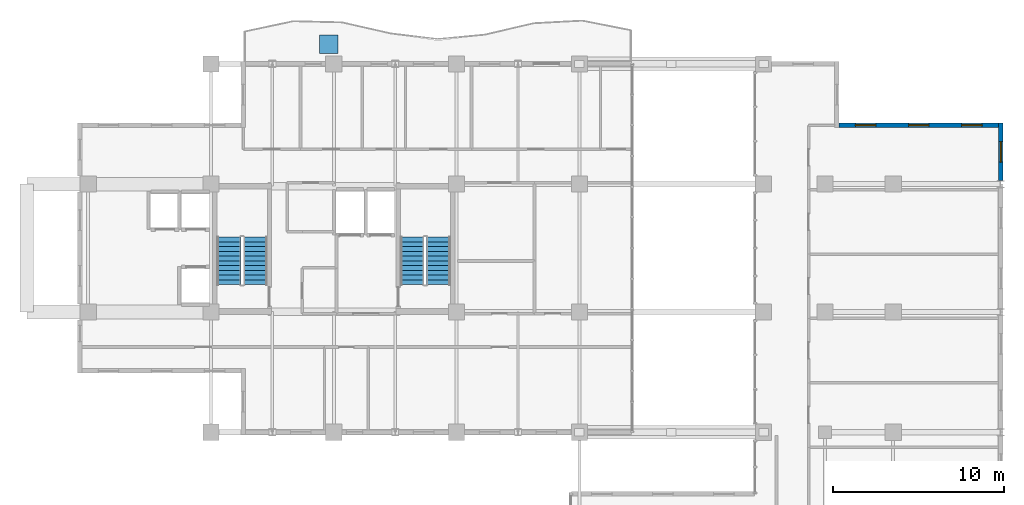
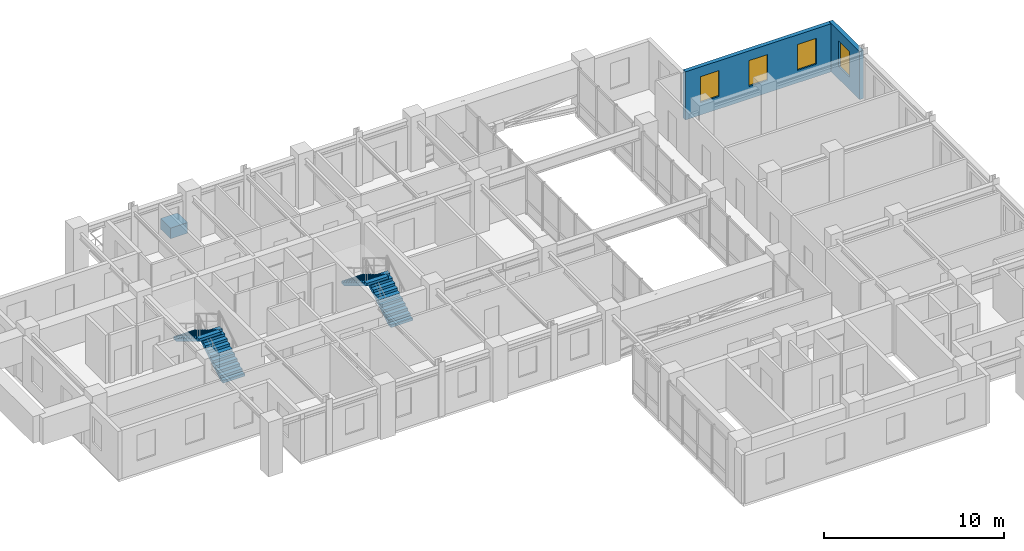
# One storey, part 21 of 23: 4 stair flights, 4 windows, 2 walls, 1 discrete accessory, 4 openings, 2 elements without a shape of their own.
"""IFC4 building model written with IfcOpenShell, lengths in metres."""

import ifcopenshell
import ifcopenshell.guid

model = None  # the IFC model being written
_history = None  # IfcOwnerHistory: only IFC2X3 demands one
_inside = {}  # id of a spatial element -> (the spatial element, [elements in it])
_under = {}  # id of a project, library or spatial element -> (it, [spatial elements below it])
_declared = {}  # id of a project -> (the project, [libraries it declares])
_typed = {}  # id of a type object -> (the type object, [elements of that type])
_made_of = {}  # id of a material, layer set ... -> (it, [elements and type objects made of it])


def new_model(schema):
    """Start an empty IFC model of exactly this schema.

    Asked for "IFC4X3", IfcOpenShell would pick the latest addendum, in which some entities
    have other attributes; the version numbers below select the first issue.
    IFC2X3 requires an IfcOwnerHistory on every rooted entity: one is made here for all.
    """
    global model, _history
    if schema == "IFC4X3":
        model = ifcopenshell.file(schema_version=(4, 3, 0, 0))
    else:
        model = ifcopenshell.file(schema=schema)
    _inside.clear()
    _under.clear()
    _declared.clear()
    _typed.clear()
    _made_of.clear()
    _history = None
    if model.schema == "IFC2X3":
        org = make("IfcOrganization", Name="unknown")
        user = make(
            "IfcPersonAndOrganization",
            ThePerson=make("IfcPerson", FamilyName="unknown"),
            TheOrganization=org,
        )
        app = make(
            "IfcApplication",
            ApplicationDeveloper=org,
            Version="unknown",
            ApplicationFullName="unknown",
            ApplicationIdentifier="unknown",
        )
        _history = make(
            "IfcOwnerHistory",
            OwningUser=user,
            OwningApplication=app,
            ChangeAction="ADDED",
            CreationDate=0,
        )
    return model


def make(cls, **values):
    """One entity of the class cls with the attributes given. An attribute that is None is left unset."""
    return model.create_entity(
        cls, **{name: value for name, value in values.items() if value is not None}
    )


def rooted(cls, **values):
    """An entity with a GlobalId (a new one), such as an element, a storey or a relation."""
    return make(cls, GlobalId=ifcopenshell.guid.new(), OwnerHistory=_history, **values)


def si_unit(unit_type, name, prefix=None):
    """IfcSIUnit, for example si_unit("LENGTHUNIT", "METRE", prefix="MILLI")."""
    return make("IfcSIUnit", UnitType=unit_type, Prefix=prefix, Name=name)


def assignment(units):
    """IfcUnitAssignment: the units of a project."""
    return None if units is None else make("IfcUnitAssignment", Units=units)


def point(xyz):
    """IfcCartesianPoint."""
    return None if xyz is None else make("IfcCartesianPoint", Coordinates=xyz)


def direction(xyz):
    """IfcDirection."""
    return None if xyz is None else make("IfcDirection", DirectionRatios=xyz)


def frame(location, z_axis=None, x_axis=None):
    """IfcAxis2Placement3D, a coordinate frame: its origin and axes. An axis left out is left unset."""
    return make(
        "IfcAxis2Placement3D",
        Location=point(location),
        Axis=direction(z_axis),
        RefDirection=direction(x_axis),
    )


def frame_2d(location, x_axis=None):
    """IfcAxis2Placement2D, a coordinate frame in the plane: its origin and x axis."""
    return make(
        "IfcAxis2Placement2D", Location=point(location), RefDirection=direction(x_axis)
    )


def origin():
    """The frame at (0, 0, 0) with its axes left unset."""
    return frame((0.0, 0.0, 0.0))


def origin_2d():
    """The frame at (0, 0) in the plane with its x axis left unset."""
    return frame_2d((0.0, 0.0))


def place(relative_to, where):
    """IfcLocalPlacement: puts the frame where relative to a parent placement (None: the world)."""
    return make(
        "IfcLocalPlacement", PlacementRelTo=relative_to, RelativePlacement=where
    )


def context(
    kind, dimensions, precision=None, world=None, true_north=None, identifier=None
):
    """IfcGeometricRepresentationContext, for example the 3D "Model" context."""
    return make(
        "IfcGeometricRepresentationContext",
        ContextIdentifier=identifier,
        ContextType=kind,
        CoordinateSpaceDimension=dimensions,
        Precision=precision,
        WorldCoordinateSystem=world,
        TrueNorth=true_north,
    )


def subcontext(parent, identifier, kind, view, scale=None):
    """IfcGeometricRepresentationSubContext, for example "Body" below "Model"."""
    return make(
        "IfcGeometricRepresentationSubContext",
        ContextIdentifier=identifier,
        ContextType=kind,
        ParentContext=parent,
        TargetScale=scale,
        TargetView=view,
    )


def project(units=None, contexts=None):
    """IfcProject with its units and contexts."""
    return rooted(
        "IfcProject",
        Name="project",
        RepresentationContexts=contexts,
        UnitsInContext=assignment(units),
    )


def spatial(cls, under=None, at=None, **own):
    """A site, building, storey or space (cls), placed at a placement, below another one or the project."""
    s = rooted(cls, ObjectPlacement=at, **own)
    if under is not None:
        _under.setdefault(under.id(), (under, []))[1].append(s)
    return s


def polyline(points):
    """IfcPolyline through the points."""
    return make("IfcPolyline", Points=[point(p) for p in points])


def profile(cls, at=None, kind="AREA", **sizes):
    """A parametric profile (cls). Its sizes go by their IFC names, for example OverallWidth=200.0."""
    return make(cls, ProfileType=kind, Position=at, **sizes)


def rectangle(**sizes):
    """IfcRectangleProfileDef."""
    return profile("IfcRectangleProfileDef", **sizes)


def outline(outer, holes=None, kind="AREA"):
    """IfcArbitraryClosedProfileDef: a profile drawn as a closed curve; with holes, ...WithVoids."""
    if holes is None:
        return make("IfcArbitraryClosedProfileDef", ProfileType=kind, OuterCurve=outer)
    return make(
        "IfcArbitraryProfileDefWithVoids",
        ProfileType=kind,
        OuterCurve=outer,
        InnerCurves=holes,
    )


def extrude(swept, where, along, depth):
    """IfcExtrudedAreaSolid: the profile swept, set in the frame where, extruded along a direction by depth."""
    return make(
        "IfcExtrudedAreaSolid",
        SweptArea=swept,
        Position=where,
        ExtrudedDirection=direction(along),
        Depth=depth,
    )


def shape(context_of_items, identifier, shape_type, items):
    """IfcShapeRepresentation: the items that make up one representation, for example the "Body"."""
    return make(
        "IfcShapeRepresentation",
        ContextOfItems=context_of_items,
        RepresentationIdentifier=identifier,
        RepresentationType=shape_type,
        Items=items,
    )


def source(mapping_origin, context_of_items, identifier, shape_type, items):
    """IfcRepresentationMap: a shape defined once, which mapped items show again and again."""
    return make(
        "IfcRepresentationMap",
        MappingOrigin=mapping_origin,
        MappedRepresentation=shape(context_of_items, identifier, shape_type, items),
    )


def transform(
    local_origin,
    x_axis=None,
    y_axis=None,
    z_axis=None,
    scale=None,
    scale2=None,
    scale3=None,
    uniform=True,
):
    """IfcCartesianTransformationOperator3D, or its non-uniform kind. x_axis, y_axis, z_axis: its Axis1, 2, 3."""
    if uniform:
        return make(
            "IfcCartesianTransformationOperator3D",
            Axis1=direction(x_axis),
            Axis2=direction(y_axis),
            LocalOrigin=point(local_origin),
            Scale=scale,
            Axis3=direction(z_axis),
        )
    return make(
        "IfcCartesianTransformationOperator3DnonUniform",
        Axis1=direction(x_axis),
        Axis2=direction(y_axis),
        LocalOrigin=point(local_origin),
        Scale=scale,
        Axis3=direction(z_axis),
        Scale2=scale2,
        Scale3=scale3,
    )


def mapped(mapping_source, mapping_target):
    """IfcMappedItem: shows the shape of a source again, moved by a transform."""
    return make(
        "IfcMappedItem", MappingSource=mapping_source, MappingTarget=mapping_target
    )


def material(Name=None, Category=None):
    """IfcMaterial."""
    return make("IfcMaterial", Name=Name, Category=Category)


def layer(
    of_material, thickness, ventilated=None, Name=None, Category=None, Priority=None
):
    """IfcMaterialLayer: one layer of a wall or slab, of a material (None: an air gap)."""
    return make(
        "IfcMaterialLayer",
        Material=of_material,
        LayerThickness=thickness,
        IsVentilated=ventilated,
        Name=Name,
        Category=Category,
        Priority=Priority,
    )


def layer_set(layers, Name=None):
    """IfcMaterialLayerSet."""
    return make("IfcMaterialLayerSet", MaterialLayers=layers, LayerSetName=Name)


def made_of(thing, what):
    """Note that an element or type object is made of a material, layer set ...; save() writes the relation."""
    if what is not None:
        _made_of.setdefault(what.id(), (what, []))[1].append(thing)
    return thing


def type_object(cls, material=None, **own):
    """A type object (cls), such as IfcWallType, which elements share."""
    return made_of(rooted(cls, **own), material)


def element(
    cls,
    number,
    at=None,
    inside=None,
    cuts=None,
    type_object=None,
    material=None,
    context=None,
    identifier="Body",
    shape_type=None,
    held_by="IfcProductDefinitionShape",
    body=None,
    shapes=None,
    **own,
):
    """One element of the class cls, such as IfcWall. Its Tag is "e" and its number.

    at: its placement. inside: the storey or other place that contains it. cuts: it is an
    opening in that element (IfcRelVoidsElement). A single representation is given by context,
    identifier, shape_type and body (its items); several are given by shapes. held_by: the class
    of the entity that holds the representations. save() writes the other relations.
    """
    e = rooted(cls, Tag="e%d" % number, ObjectPlacement=at, **own)
    if body is not None:
        shapes = [shape(context, identifier, shape_type, body)]
    if shapes is not None:
        e.Representation = make(held_by, Representations=shapes)
    if inside is not None:
        _inside.setdefault(inside.id(), (inside, []))[1].append(e)
    if cuts is not None:
        rooted(
            "IfcRelVoidsElement", RelatingBuildingElement=cuts, RelatedOpeningElement=e
        )
    if type_object is not None:
        _typed.setdefault(type_object.id(), (type_object, []))[1].append(e)
    return made_of(e, material)


def fill(opening, filler):
    """IfcRelFillsElement: the door or window that sits in an opening."""
    return rooted(
        "IfcRelFillsElement",
        RelatingOpeningElement=opening,
        RelatedBuildingElement=filler,
    )


def aggregate(whole, parts):
    """IfcRelAggregates: a whole, such as a stair, and the parts it consists of."""
    return rooted("IfcRelAggregates", RelatingObject=whole, RelatedObjects=parts)


def save(model, path):
    """Write the relations noted so far, then the file.

    IfcRelAggregates (storeys below a building ...), IfcRelContainedInSpatialStructure (elements
    in a storey), IfcRelDefinesByType, IfcRelAssociatesMaterial and IfcRelDeclares: one each for
    every whole, place, type object, material and project.
    """
    for whole, parts in _under.values():
        aggregate(whole, parts)
    for where, things in _inside.values():
        rooted(
            "IfcRelContainedInSpatialStructure",
            RelatedElements=things,
            RelatingStructure=where,
        )
    for kind, things in _typed.values():
        rooted("IfcRelDefinesByType", RelatedObjects=things, RelatingType=kind)
    for what, things in _made_of.values():
        rooted("IfcRelAssociatesMaterial", RelatedObjects=things, RelatingMaterial=what)
    for by, libraries in _declared.values():
        rooted("IfcRelDeclares", RelatingContext=by, RelatedDefinitions=libraries)
    model.write(path)


model = new_model("IFC4")

# Units and contexts
model_context = context("Model", 3, precision=1e-05, world=origin(), true_north=direction((0.0, 1.0)))
body_context = subcontext(model_context, "Body", "Model", "MODEL_VIEW")
ifc_project = project(units=[si_unit("LENGTHUNIT", "METRE"), si_unit("AREAUNIT", "SQUARE_METRE"), si_unit("VOLUMEUNIT", "CUBIC_METRE"), si_unit("PLANEANGLEUNIT", "RADIAN"), si_unit("MASSUNIT", "GRAM", prefix="KILO")], contexts=[model_context])

# Site, building, storey
site_placement = place(None, origin())
site = spatial("IfcSite", under=ifc_project, at=site_placement, CompositionType="ELEMENT")
building_placement = place(site_placement, origin())
building = spatial("IfcBuilding", under=site, at=building_placement, Name="Kaliganga Portal Commons", CompositionType="ELEMENT")
storey_placement = place(building_placement, frame((0.0, 0.0, 246.199951171875)))
storey = spatial("IfcBuildingStorey", under=building, at=storey_placement, Name="L63", CompositionType="ELEMENT", Elevation=246.199951171875)

# Wall, opening, window
ifc_material_1 = material(Name="Insulated Aluminium-Clad Spandrel Assembly", Category="aluminium")
ifc_layer = layer(ifc_material_1, 0.260009765625)
ifc_layer_set = layer_set([ifc_layer], Name="Insulated Aluminium-Clad Spandrel Assembly")
wall_type = type_object("IfcWallType", Name="WL-EXT-SPAND-260", PredefinedType="STANDARD", material=ifc_layer_set)
wall_1_placement = place(storey_placement, frame((60.699951171875, 39.72998046875, 0.0), z_axis=(0.0, 0.0, 1.0), x_axis=(0.0, -1.0, 0.0)))
wall_1 = element("IfcWall", 1, at=wall_1_placement, inside=storey, type_object=wall_type, Name="Exterior Envelope Wall L63 P2-E03-S5", PredefinedType="STANDARD", context=body_context, shape_type="SweptSolid", body=[
    extrude(rectangle(XDim=3.37890625, YDim=0.260009765625, at=frame_2d((1.689453125, 0.0))), origin(), (0.0, 0.0, 1.0), 3.260009765625),
])
opening_1_placement = place(wall_1_placement, frame((1.089599609375, 0.0, 0.85009765625)))
opening_1 = element("IfcOpeningElement", 2, at=opening_1_placement, cuts=wall_1, Name="Opening W-03", PredefinedType="OPENING", context=body_context, shape_type="SweptSolid", body=[
    extrude(rectangle(XDim=1.199951171875, YDim=1.75, at=frame_2d((0.60009765625, 0.875))), frame((0.0, 0.14013671875, 0.0), z_axis=(0.0, -1.0, 0.0), x_axis=(1.0, 0.0, 0.0)), (0.0, 0.0, 1.0), 0.280029296875),
])
ifc_material_2 = material(Name="Thermally Broken Aluminium and Low-E Double Glazing", Category="aluminium")
window_type = type_object("IfcWindowType", Name="WIN-STD-1200", PartitioningType="SINGLE_PANEL", PredefinedType="WINDOW", material=ifc_material_2)
window_1_placement = place(opening_1_placement, origin())
window_1 = element("IfcWindow", 3, at=window_1_placement, inside=storey, type_object=window_type, Name="Facade Window L63-P2E03S5-00", OverallHeight=1.75, OverallWidth=1.199951171875, PartitioningType="SINGLE_PANEL", PredefinedType="WINDOW", context=body_context, shape_type="SweptSolid", body=[
    extrude(rectangle(XDim=1.199951171875, YDim=1.75, at=frame_2d((0.60009765625, 0.875))), frame((0.0, 0.030029296875, 0.0), z_axis=(0.0, -1.0, 0.0), x_axis=(1.0, 0.0, 0.0)), (0.0, 0.0, 1.0), 0.06005859375),
])
fill(opening_1, window_1)

# Wall, openings, windows
wall_2_placement = place(storey_placement, frame((51.235107421875, 39.60009765625, 0.0), z_axis=(0.0, 0.0, 1.0), x_axis=(1.0, 0.0, 0.0)))
wall_2 = element("IfcWall", 4, at=wall_2_placement, inside=storey, type_object=wall_type, Name="Exterior Envelope Wall L63 P2-E04-S1", PredefinedType="STANDARD", context=body_context, shape_type="SweptSolid", body=[
    extrude(rectangle(XDim=9.329833984375, YDim=0.260009765625, at=frame_2d((4.6650390625, 0.0))), origin(), (0.0, 0.0, 1.0), 3.260009765625),
])
opening_2_placement = place(wall_2_placement, frame((0.955078125, 0.0, 0.85009765625)))
opening_2 = element("IfcOpeningElement", 5, at=opening_2_placement, cuts=wall_2, Name="Opening W-03", PredefinedType="OPENING", context=body_context, shape_type="SweptSolid", body=[
    extrude(rectangle(XDim=1.199951171875, YDim=1.75, at=frame_2d((0.60009765625, 0.875))), frame((0.0, 0.14013671875, 0.0), z_axis=(0.0, -1.0, 0.0), x_axis=(1.0, 0.0, 0.0)), (0.0, 0.0, 1.0), 0.280029296875),
])
opening_3_placement = place(wall_2_placement, frame((4.06494140625, 0.0, 0.85009765625)))
opening_3 = element("IfcOpeningElement", 6, at=opening_3_placement, cuts=wall_2, Name="Opening W-03", PredefinedType="OPENING", context=body_context, shape_type="SweptSolid", body=[
    extrude(rectangle(XDim=1.199951171875, YDim=1.75, at=frame_2d((0.60009765625, 0.875))), frame((0.0, 0.14013671875, 0.0), z_axis=(0.0, -1.0, 0.0), x_axis=(1.0, 0.0, 0.0)), (0.0, 0.0, 1.0), 0.280029296875),
])
opening_4_placement = place(wall_2_placement, frame((7.175048828125, 0.0, 0.85009765625)))
opening_4 = element("IfcOpeningElement", 7, at=opening_4_placement, cuts=wall_2, Name="Opening W-03", PredefinedType="OPENING", context=body_context, shape_type="SweptSolid", body=[
    extrude(rectangle(XDim=1.199951171875, YDim=1.75, at=frame_2d((0.60009765625, 0.875))), frame((0.0, 0.14013671875, 0.0), z_axis=(0.0, -1.0, 0.0), x_axis=(1.0, 0.0, 0.0)), (0.0, 0.0, 1.0), 0.280029296875),
])
window_2_placement = place(opening_2_placement, origin())
window_2 = element("IfcWindow", 8, at=window_2_placement, inside=storey, type_object=window_type, Name="Facade Window L63-P2E04S1-00", OverallHeight=1.75, OverallWidth=1.199951171875, PartitioningType="SINGLE_PANEL", PredefinedType="WINDOW", context=body_context, shape_type="SweptSolid", body=[
    extrude(rectangle(XDim=1.199951171875, YDim=1.75, at=frame_2d((0.60009765625, 0.875))), frame((0.0, 0.030029296875, 0.0), z_axis=(0.0, -1.0, 0.0), x_axis=(1.0, 0.0, 0.0)), (0.0, 0.0, 1.0), 0.06005859375),
])
fill(opening_2, window_2)
window_3_placement = place(opening_3_placement, origin())
window_3 = element("IfcWindow", 9, at=window_3_placement, inside=storey, type_object=window_type, Name="Facade Window L63-P2E04S1-01", OverallHeight=1.75, OverallWidth=1.199951171875, PartitioningType="SINGLE_PANEL", PredefinedType="WINDOW", context=body_context, shape_type="SweptSolid", body=[
    extrude(rectangle(XDim=1.199951171875, YDim=1.75, at=frame_2d((0.60009765625, 0.875))), frame((0.0, 0.030029296875, 0.0), z_axis=(0.0, -1.0, 0.0), x_axis=(1.0, 0.0, 0.0)), (0.0, 0.0, 1.0), 0.06005859375),
])
fill(opening_3, window_3)
window_4_placement = place(opening_4_placement, origin())
window_4 = element("IfcWindow", 10, at=window_4_placement, inside=storey, type_object=window_type, Name="Facade Window L63-P2E04S1-02", OverallHeight=1.75, OverallWidth=1.199951171875, PartitioningType="SINGLE_PANEL", PredefinedType="WINDOW", context=body_context, shape_type="SweptSolid", body=[
    extrude(rectangle(XDim=1.199951171875, YDim=1.75, at=frame_2d((0.60009765625, 0.875))), frame((0.0, 0.030029296875, 0.0), z_axis=(0.0, -1.0, 0.0), x_axis=(1.0, 0.0, 0.0)), (0.0, 0.0, 1.0), 0.06005859375),
])
fill(opening_4, window_4)

# Stair, stair flights
ifc_material_3 = material(Name="Concrete C40/50", Category="concrete")
stair_type = type_object("IfcStairType", Name="ST-CORE-DOGLEG", PredefinedType="HALF_TURN_STAIR", material=ifc_material_3)
stair_1_placement = place(storey_placement, origin())
stair_1 = element("IfcStair", 11, at=stair_1_placement, inside=storey, type_object=stair_type, Name="L63 Protected Exit Stair ST-A1", PredefinedType="HALF_TURN_STAIR")
stair_flight_type = type_object("IfcStairFlightType", Name="STF-RC-1400", PredefinedType="STRAIGHT", material=ifc_material_3)
stair_flight_1_placement = place(storey_placement, frame((17.0, 30.25, 0.0), z_axis=(0.0, 0.0, 1.0), x_axis=(0.0, 1.0, 0.0)))
stair_flight_1 = element("IfcStairFlight", 12, at=stair_flight_1_placement, type_object=stair_flight_type, Name="ST-A1 flight 1", NumberOfRisers=11, NumberOfTreads=10, PredefinedType="STRAIGHT", RiserHeight=0.168181818, TreadLength=0.28, context=body_context, shape_type="SweptSolid", body=[
    extrude(outline(polyline([(0.0, 0.0), (0.0, 0.168212890625), (0.280029296875, 0.168212890625), (0.280029296875, 0.33642578125), (0.56005859375, 0.33642578125), (0.56005859375, 0.504638671875), (0.840087890625, 0.504638671875), (0.840087890625, 0.672607421875), (1.1201171875, 0.672607421875), (1.1201171875, 0.8408203125), (1.39990234375, 0.8408203125), (1.39990234375, 1.009033203125), (1.679931640625, 1.009033203125), (1.679931640625, 1.17724609375), (1.9599609375, 1.17724609375), (1.9599609375, 1.345458984375), (2.239990234375, 1.345458984375), (2.239990234375, 1.513671875), (2.52001953125, 1.513671875), (2.52001953125, 1.681884765625), (2.800048828125, 1.681884765625), (2.800048828125, 1.85009765625), (2.800048828125, 1.5068359375), (0.291015625, 0.0), (0.0, 0.0)])), frame((0.0, 0.699951171875, 0.0), z_axis=(0.0, -1.0, 0.0), x_axis=(1.0, 0.0, 0.0)), (0.0, 0.0, 1.0), 1.39990234375),
])
stair_flight_2_placement = place(storey_placement, frame((15.449951171875, 33.050048828125, 1.85009765625), z_axis=(0.0, 0.0, 1.0), x_axis=(0.0, -1.0, 0.0)))
stair_flight_2 = element("IfcStairFlight", 13, at=stair_flight_2_placement, type_object=stair_flight_type, Name="ST-A1 flight 2", NumberOfRisers=11, NumberOfTreads=10, PredefinedType="STRAIGHT", RiserHeight=0.168181818, TreadLength=0.28, context=body_context, shape_type="SweptSolid", body=[
    extrude(outline(polyline([(0.0, 0.0), (0.0, 0.168212890625), (0.280029296875, 0.168212890625), (0.280029296875, 0.33642578125), (0.56005859375, 0.33642578125), (0.56005859375, 0.504638671875), (0.840087890625, 0.504638671875), (0.840087890625, 0.672607421875), (1.1201171875, 0.672607421875), (1.1201171875, 0.8408203125), (1.39990234375, 0.8408203125), (1.39990234375, 1.009033203125), (1.679931640625, 1.009033203125), (1.679931640625, 1.17724609375), (1.9599609375, 1.17724609375), (1.9599609375, 1.345458984375), (2.239990234375, 1.345458984375), (2.239990234375, 1.513671875), (2.52001953125, 1.513671875), (2.52001953125, 1.681884765625), (2.800048828125, 1.681884765625), (2.800048828125, 1.85009765625), (2.800048828125, 1.5068359375), (0.291015625, 0.0), (0.0, 0.0)])), frame((0.0, 0.699951171875, 0.0), z_axis=(0.0, -1.0, 0.0), x_axis=(1.0, 0.0, 0.0)), (0.0, 0.0, 1.0), 1.39990234375),
])
aggregate(stair_1, [stair_flight_1, stair_flight_2])

stair_2_placement = place(storey_placement, origin())
stair_2 = element("IfcStair", 14, at=stair_2_placement, inside=storey, type_object=stair_type, Name="L63 Protected Exit Stair ST-A2", PredefinedType="HALF_TURN_STAIR")
stair_flight_3_placement = place(storey_placement, frame((27.75, 30.25, 0.0), z_axis=(0.0, 0.0, 1.0), x_axis=(0.0, 1.0, 0.0)))
stair_flight_3 = element("IfcStairFlight", 15, at=stair_flight_3_placement, type_object=stair_flight_type, Name="ST-A2 flight 1", NumberOfRisers=11, NumberOfTreads=10, PredefinedType="STRAIGHT", RiserHeight=0.168181818, TreadLength=0.28, context=body_context, shape_type="SweptSolid", body=[
    extrude(outline(polyline([(0.0, 0.0), (0.0, 0.168212890625), (0.280029296875, 0.168212890625), (0.280029296875, 0.33642578125), (0.56005859375, 0.33642578125), (0.56005859375, 0.504638671875), (0.840087890625, 0.504638671875), (0.840087890625, 0.672607421875), (1.1201171875, 0.672607421875), (1.1201171875, 0.8408203125), (1.39990234375, 0.8408203125), (1.39990234375, 1.009033203125), (1.679931640625, 1.009033203125), (1.679931640625, 1.17724609375), (1.9599609375, 1.17724609375), (1.9599609375, 1.345458984375), (2.239990234375, 1.345458984375), (2.239990234375, 1.513671875), (2.52001953125, 1.513671875), (2.52001953125, 1.681884765625), (2.800048828125, 1.681884765625), (2.800048828125, 1.85009765625), (2.800048828125, 1.5068359375), (0.291015625, 0.0), (0.0, 0.0)])), frame((0.0, 0.699951171875, 0.0), z_axis=(0.0, -1.0, 0.0), x_axis=(1.0, 0.0, 0.0)), (0.0, 0.0, 1.0), 1.39990234375),
])
stair_flight_4_placement = place(storey_placement, frame((26.199951171875, 33.050048828125, 1.85009765625), z_axis=(0.0, 0.0, 1.0), x_axis=(0.0, -1.0, 0.0)))
stair_flight_4 = element("IfcStairFlight", 16, at=stair_flight_4_placement, type_object=stair_flight_type, Name="ST-A2 flight 2", NumberOfRisers=11, NumberOfTreads=10, PredefinedType="STRAIGHT", RiserHeight=0.168181818, TreadLength=0.28, context=body_context, shape_type="SweptSolid", body=[
    extrude(outline(polyline([(0.0, 0.0), (0.0, 0.168212890625), (0.280029296875, 0.168212890625), (0.280029296875, 0.33642578125), (0.56005859375, 0.33642578125), (0.56005859375, 0.504638671875), (0.840087890625, 0.504638671875), (0.840087890625, 0.672607421875), (1.1201171875, 0.672607421875), (1.1201171875, 0.8408203125), (1.39990234375, 0.8408203125), (1.39990234375, 1.009033203125), (1.679931640625, 1.009033203125), (1.679931640625, 1.17724609375), (1.9599609375, 1.17724609375), (1.9599609375, 1.345458984375), (2.239990234375, 1.345458984375), (2.239990234375, 1.513671875), (2.52001953125, 1.513671875), (2.52001953125, 1.681884765625), (2.800048828125, 1.681884765625), (2.800048828125, 1.85009765625), (2.800048828125, 1.5068359375), (0.291015625, 0.0), (0.0, 0.0)])), frame((0.0, 0.699951171875, 0.0), z_axis=(0.0, -1.0, 0.0), x_axis=(1.0, 0.0, 0.0)), (0.0, 0.0, 1.0), 1.39990234375),
])
aggregate(stair_2, [stair_flight_3, stair_flight_4])

# Discrete accessory
ifc_material_4 = material(Name="Precast concrete C40/50", Category="concrete")
discrete_accessory_type = type_object("IfcDiscreteAccessoryType", Name="DAC-PLANTER-RC", PredefinedType="USERDEFINED", material=ifc_material_4)
shared_shape = source(origin(), body_context, "Body", "SweptSolid", [
    extrude(rectangle(XDim=1.10009765625, YDim=1.10009765625, at=origin_2d()), origin(), (0.0, 0.0, 1.0), 0.719970703125),
])
discrete_accessory_placement = place(storey_placement, frame((21.300048828125, 44.35009765625, 0.0), z_axis=(0.0, 0.0, 1.0), x_axis=(1.0, 0.0, 0.0)))
element("IfcDiscreteAccessory", 17, at=discrete_accessory_placement, inside=storey, type_object=discrete_accessory_type, Name="Structural Tree Planter L63 balc_north", ObjectType="PLANTER", PredefinedType="USERDEFINED", context=body_context, shape_type="MappedRepresentation", body=[
    mapped(shared_shape, transform((0.0, 0.0, 0.0), x_axis=(1.0, 0.0, 0.0), y_axis=(0.0, 1.0, 0.0), z_axis=(0.0, 0.0, 1.0), scale=1.0)),
])

save(model, "model.ifc")
